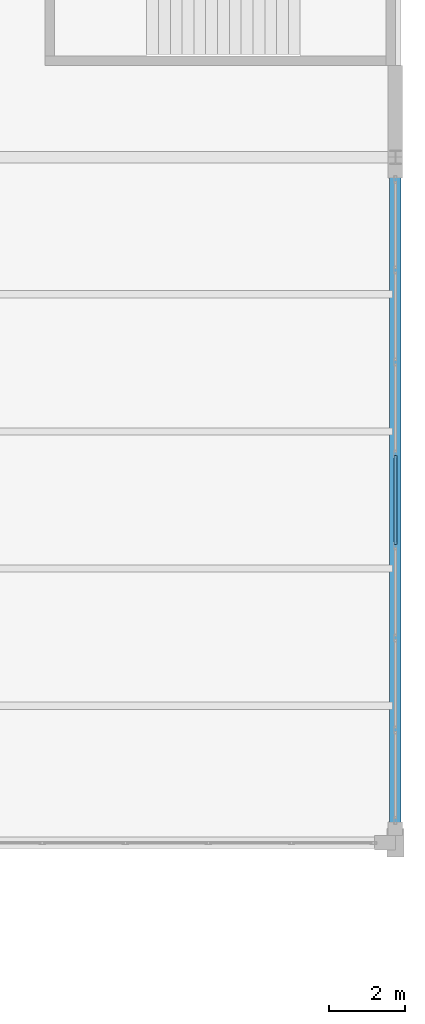
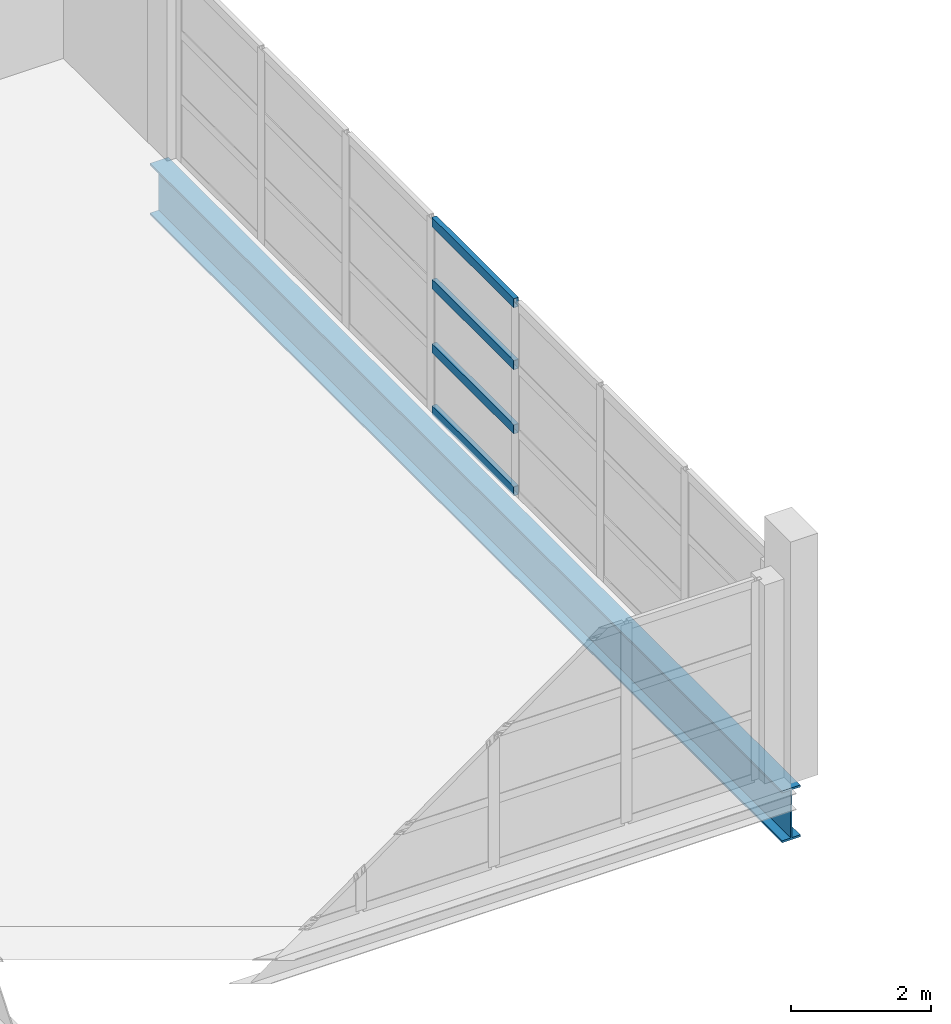
# One storey, part 101 of 147: 4 members, 1 beam, 1 element without a shape of its own.
"""IFC4 building model written with IfcOpenShell, lengths in metres."""

from ifc_helpers import new_model, si_unit, direction, frame, origin, origin_2d, place, context, subcontext, project, spatial, hollow_rectangle, i_section, extrude, material, layer, layer_set, material_profile, profile_set, type_object, element, aggregate, save


model = new_model("IFC4")

# Units and contexts
model_context = context("Model", 3, precision=1e-05, world=origin(), true_north=direction((0.0, 1.0)))
body_context = subcontext(model_context, "Body", "Model", "MODEL_VIEW")
ifc_project = project(units=[si_unit("LENGTHUNIT", "METRE"), si_unit("AREAUNIT", "SQUARE_METRE"), si_unit("VOLUMEUNIT", "CUBIC_METRE"), si_unit("PLANEANGLEUNIT", "RADIAN"), si_unit("MASSUNIT", "GRAM", prefix="KILO")], contexts=[model_context])

# Site, building, storey
site_placement = place(None, origin())
site = spatial("IfcSite", under=ifc_project, at=site_placement, CompositionType="ELEMENT")
building_placement = place(site_placement, origin())
building = spatial("IfcBuilding", under=site, at=building_placement, Name="Zilviju Railside Exhibition Hall", CompositionType="ELEMENT")
storey_placement = place(building_placement, frame((0.0, 0.0, 8.39990234375)))
storey = spatial("IfcBuildingStorey", under=building, at=storey_placement, Name="L03", CompositionType="ELEMENT", Elevation=8.39990234375)

# Beam
ifc_material_1 = material(Name="Steel S355J2", Category="steel")
ifc_material_profile_1 = material_profile(ifc_material_1, i_section(OverallWidth=0.300048828125, OverallDepth=0.89990234375, WebThickness=0.0185546875, FlangeThickness=0.034912109375, at=origin_2d()), Name="HEB 900")
ifc_profile_set_1 = profile_set([ifc_material_profile_1], Name="Steel S355J2")
beam_type = type_object("IfcBeamType", Name="BM-HEB900", PredefinedType="BEAM", material=ifc_profile_set_1)
beam_placement = place(storey_placement, frame((216.0, 84.0, -0.829833984375), z_axis=(0.0, 1.0, 0.0), x_axis=(-1.0, 0.0, 0.0)))
element("IfcBeam", 1, at=beam_placement, inside=storey, type_object=beam_type, Name="Transverse Girder L03 X=216.0 (84.0..102.0)", PredefinedType="BEAM", context=body_context, shape_type="SweptSolid", body=[
    extrude(i_section(OverallWidth=0.300048828125, OverallDepth=0.89990234375, WebThickness=0.0185546875, FlangeThickness=0.034912109375, at=origin_2d()), origin(), (0.0, 0.0, 1.0), 18.0),
])

# Curtain wall, members
ifc_material_2 = material(Name="Thermally broken aluminium-steel triple-glazed curtain wall", Category="steel")
ifc_layer = layer(ifc_material_2, 0.179931640625)
ifc_layer_set = layer_set([ifc_layer], Name="Thermally broken aluminium-steel triple-glazed curtain wall")
curtain_wall_type = type_object("IfcCurtainWallType", Name="CW-BAY-08", PredefinedType="USERDEFINED", material=ifc_layer_set)
curtain_wall_placement = place(storey_placement, origin())
curtain_wall = element("IfcCurtainWall", 2, at=curtain_wall_placement, inside=storey, type_object=curtain_wall_type, Name="North Hall East Glazed Gable L03 (84..102)", ObjectType="GLAZED CURTAIN WALL", PredefinedType="USERDEFINED")
ifc_material_3 = material(Name="Thermally broken anodized aluminium transom", Category="aluminium")
ifc_material_profile_2 = material_profile(ifc_material_3, hollow_rectangle(XDim=0.080078125, YDim=0.159912109375, WallThickness=0.0048828125, at=origin_2d()), Name="TRANSOM 160x80x5")
ifc_profile_set_2 = profile_set([ifc_material_profile_2], Name="Thermally broken anodized aluminium transom")
member_type = type_object("IfcMemberType", Name="CWT-80x160", PredefinedType="USERDEFINED", material=ifc_profile_set_2)
member_1_placement = place(storey_placement, frame((216.0, 94.167236328125, 0.0400390625), z_axis=(0.0, -1.0, 0.0), x_axis=(1.0, 0.0, 0.0)))
member_1 = element("IfcMember", 3, at=member_1_placement, type_object=member_type, Name="CW-08 transom 4.1", ObjectType="TRANSOM", PredefinedType="USERDEFINED", context=body_context, shape_type="SweptSolid", body=[
    extrude(hollow_rectangle(XDim=0.080078125, YDim=0.159912109375, WallThickness=0.0048828125, at=origin_2d()), origin(), (0.0, 0.0, 1.0), 2.33447265625),
])
member_2_placement = place(storey_placement, frame((216.0, 94.167236328125, 1.1171875), z_axis=(0.0, -1.0, 0.0), x_axis=(1.0, 0.0, 0.0)))
member_2 = element("IfcMember", 4, at=member_2_placement, type_object=member_type, Name="CW-08 transom 4.2", ObjectType="TRANSOM", PredefinedType="USERDEFINED", context=body_context, shape_type="SweptSolid", body=[
    extrude(hollow_rectangle(XDim=0.080078125, YDim=0.159912109375, WallThickness=0.0048828125, at=origin_2d()), origin(), (0.0, 0.0, 1.0), 2.33447265625),
])
member_3_placement = place(storey_placement, frame((216.0, 94.167236328125, 2.233154296875), z_axis=(0.0, -1.0, 0.0), x_axis=(1.0, 0.0, 0.0)))
member_3 = element("IfcMember", 5, at=member_3_placement, type_object=member_type, Name="CW-08 transom 4.3", ObjectType="TRANSOM", PredefinedType="USERDEFINED", context=body_context, shape_type="SweptSolid", body=[
    extrude(hollow_rectangle(XDim=0.080078125, YDim=0.159912109375, WallThickness=0.0048828125, at=origin_2d()), origin(), (0.0, 0.0, 1.0), 2.33447265625),
])
member_4_placement = place(storey_placement, frame((216.0, 94.167236328125, 3.31005859375), z_axis=(0.0, -1.0, 0.0), x_axis=(1.0, 0.0, 0.0)))
member_4 = element("IfcMember", 6, at=member_4_placement, type_object=member_type, Name="CW-08 transom 4.4", ObjectType="TRANSOM", PredefinedType="USERDEFINED", context=body_context, shape_type="SweptSolid", body=[
    extrude(hollow_rectangle(XDim=0.080078125, YDim=0.159912109375, WallThickness=0.0048828125, at=origin_2d()), origin(), (0.0, 0.0, 1.0), 2.33447265625),
])
aggregate(curtain_wall, [member_1, member_2, member_3, member_4])

save(model, "model.ifc")
